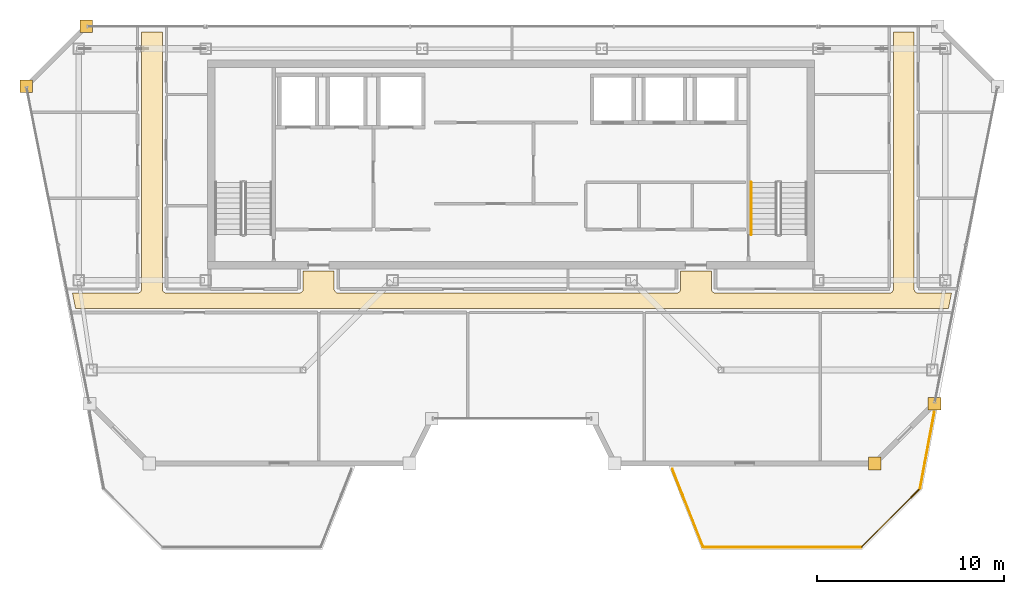
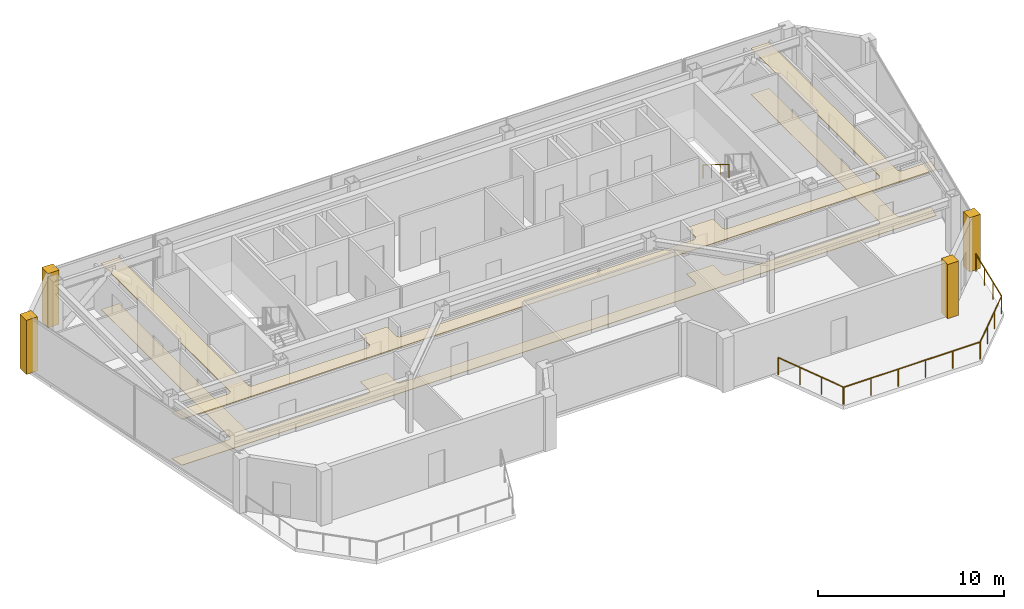
# One storey, part 19 of 20: 6 coverings, 5 railings.
"""IFC4 building model written with IfcOpenShell, lengths in metres."""

from ifc_helpers import new_model, si_unit, direction, frame, origin, origin_2d, place, context, subcontext, project, spatial, polyline, circle, outline, extrude, material, layer, layer_set, type_object, element, save


model = new_model("IFC4")

# Units and contexts
model_context = context("Model", 3, precision=1e-05, world=origin(), true_north=direction((0.0, 1.0)))
body_context = subcontext(model_context, "Body", "Model", "MODEL_VIEW")
ifc_project = project(units=[si_unit("LENGTHUNIT", "METRE"), si_unit("AREAUNIT", "SQUARE_METRE"), si_unit("VOLUMEUNIT", "CUBIC_METRE"), si_unit("PLANEANGLEUNIT", "RADIAN"), si_unit("MASSUNIT", "GRAM", prefix="KILO")], contexts=[model_context])

# Site, building, storey
site_placement = place(None, origin())
site = spatial("IfcSite", under=ifc_project, at=site_placement, CompositionType="ELEMENT")
building_placement = place(site_placement, origin())
building = spatial("IfcBuilding", under=site, at=building_placement, Name="Saevonmaru Cultural Tower", CompositionType="ELEMENT")
storey_placement = place(building_placement, frame((0.0, 0.0, 295.199951171875)))
storey = spatial("IfcBuildingStorey", under=building, at=storey_placement, Name="L70", CompositionType="ELEMENT", Elevation=295.199951171875)

# Coverings
ifc_material_1 = material(Name="Mineral Fibre Acoustic Ceiling", Category="gypsum")
ifc_layer_1 = layer(ifc_material_1, 0.044921875, Name="Mineral Fibre Acoustic Ceiling")
ifc_layer_set_1 = layer_set([ifc_layer_1], Name="Mineral Fibre Acoustic Ceiling")
covering_type_1 = type_object("IfcCoveringType", Name="CV-CEIL-ACOUSTIC", PredefinedType="CEILING", material=ifc_layer_set_1)
covering_1_placement = place(storey_placement, frame((0.0, 0.0, 3.0)))
element("IfcCovering", 1, at=covering_1_placement, inside=storey, type_object=covering_type_1, Name="L70 Corridor Acoustic Ceiling", PredefinedType="CEILING", context=body_context, shape_type="SweptSolid", body=[
    extrude(outline(polyline([(6.631103515625, 40.89990234375), (6.468017578125, 41.719970703125), (9.949951171875, 41.719970703125), (9.971923828125, 41.720947265625), (9.992919921875, 41.72412109375), (10.013916015625, 41.72900390625), (10.033935546875, 41.737060546875), (10.053955078125, 41.74609375), (10.072021484375, 41.757080078125), (10.090087890625, 41.77001953125), (10.10595703125, 41.783935546875), (10.1201171875, 41.800048828125), (10.133056640625, 41.818115234375), (10.14404296875, 41.8359375), (10.153076171875, 41.85595703125), (10.160888671875, 41.8759765625), (10.166015625, 41.89697265625), (10.1689453125, 41.91796875), (10.169921875, 41.93994140625), (10.169921875, 55.699951171875), (11.280029296875, 55.699951171875), (11.280029296875, 41.93994140625), (11.281005859375, 41.91796875), (11.283935546875, 41.89697265625), (11.2890625, 41.8759765625), (11.297119140625, 41.85595703125), (11.305908203125, 41.8359375), (11.31689453125, 41.818115234375), (11.330078125, 41.800048828125), (11.343994140625, 41.783935546875), (11.360107421875, 41.77001953125), (11.3779296875, 41.757080078125), (11.39599609375, 41.74609375), (11.416015625, 41.737060546875), (11.43603515625, 41.72900390625), (11.45703125, 41.72412109375), (11.47802734375, 41.720947265625), (11.5, 41.719970703125), (18.60009765625, 41.719970703125), (18.6220703125, 41.720947265625), (18.64306640625, 41.72412109375), (18.6640625, 41.72900390625), (18.68408203125, 41.737060546875), (18.7041015625, 41.74609375), (18.721923828125, 41.757080078125), (18.739990234375, 41.77001953125), (18.756103515625, 41.783935546875), (18.77001953125, 41.800048828125), (18.782958984375, 41.818115234375), (18.7939453125, 41.8359375), (18.802978515625, 41.85595703125), (18.81103515625, 41.8759765625), (18.81591796875, 41.89697265625), (18.819091796875, 41.91796875), (18.820068359375, 41.93994140625), (18.820068359375, 42.889892578125), (20.47998046875, 42.889892578125), (20.47998046875, 41.93994140625), (20.48095703125, 41.91796875), (20.48388671875, 41.89697265625), (20.489013671875, 41.8759765625), (20.4970703125, 41.85595703125), (20.506103515625, 41.8359375), (20.51708984375, 41.818115234375), (20.530029296875, 41.800048828125), (20.5439453125, 41.783935546875), (20.56005859375, 41.77001953125), (20.577880859375, 41.757080078125), (20.595947265625, 41.74609375), (20.615966796875, 41.737060546875), (20.635986328125, 41.72900390625), (20.656982421875, 41.72412109375), (20.677978515625, 41.720947265625), (20.699951171875, 41.719970703125), (38.800048828125, 41.719970703125), (38.822021484375, 41.720947265625), (38.843017578125, 41.72412109375), (38.864013671875, 41.72900390625), (38.884033203125, 41.737060546875), (38.904052734375, 41.74609375), (38.922119140625, 41.757080078125), (38.93994140625, 41.77001953125), (38.9560546875, 41.783935546875), (38.969970703125, 41.800048828125), (38.98291015625, 41.818115234375), (38.993896484375, 41.8359375), (39.0029296875, 41.85595703125), (39.010986328125, 41.8759765625), (39.01611328125, 41.89697265625), (39.01904296875, 41.91796875), (39.02001953125, 41.93994140625), (39.02001953125, 42.889892578125), (40.679931640625, 42.889892578125), (40.679931640625, 41.93994140625), (40.680908203125, 41.91796875), (40.68408203125, 41.89697265625), (40.68896484375, 41.8759765625), (40.697021484375, 41.85595703125), (40.7060546875, 41.8359375), (40.717041015625, 41.818115234375), (40.72998046875, 41.800048828125), (40.743896484375, 41.783935546875), (40.760009765625, 41.77001953125), (40.778076171875, 41.757080078125), (40.7958984375, 41.74609375), (40.81591796875, 41.737060546875), (40.8359375, 41.72900390625), (40.85693359375, 41.72412109375), (40.8779296875, 41.720947265625), (40.89990234375, 41.719970703125), (50.199951171875, 41.719970703125), (50.221923828125, 41.720947265625), (50.242919921875, 41.72412109375), (50.263916015625, 41.72900390625), (50.283935546875, 41.737060546875), (50.303955078125, 41.74609375), (50.322021484375, 41.757080078125), (50.340087890625, 41.77001953125), (50.35595703125, 41.783935546875), (50.3701171875, 41.800048828125), (50.383056640625, 41.818115234375), (50.39404296875, 41.8359375), (50.403076171875, 41.85595703125), (50.410888671875, 41.8759765625), (50.416015625, 41.89697265625), (50.4189453125, 41.91796875), (50.419921875, 41.93994140625), (50.419921875, 55.699951171875), (51.530029296875, 55.699951171875), (51.530029296875, 41.93994140625), (51.531005859375, 41.91796875), (51.533935546875, 41.89697265625), (51.5390625, 41.8759765625), (51.547119140625, 41.85595703125), (51.555908203125, 41.8359375), (51.56689453125, 41.818115234375), (51.580078125, 41.800048828125), (51.593994140625, 41.783935546875), (51.610107421875, 41.77001953125), (51.6279296875, 41.757080078125), (51.64599609375, 41.74609375), (51.666015625, 41.737060546875), (51.68603515625, 41.72900390625), (51.70703125, 41.72412109375), (51.72802734375, 41.720947265625), (51.75, 41.719970703125), (53.531982421875, 41.719970703125), (53.368896484375, 40.89990234375), (6.631103515625, 40.89990234375)])), origin(), (0.0, 0.0, 1.0), 0.045166015625),
])
ifc_material_2 = material(Name="Satin Bronze Anodised Aluminium", Category="aluminium")
ifc_layer_2 = layer(ifc_material_2, 0.679931640625, Name="Satin Bronze Anodised Aluminium")
ifc_layer_set_2 = layer_set([ifc_layer_2], Name="Satin Bronze Anodised Aluminium")
covering_type_2 = type_object("IfcCoveringType", Name="CV-CORNER-CLAD", PredefinedType="CLADDING", material=ifc_layer_set_2)
covering_2_placement = place(storey_placement, origin())
element("IfcCovering", 2, at=covering_2_placement, inside=storey, type_object=covering_type_2, Name="L70 Tower Bronze Corner Cladding Pier 7", PredefinedType="CLADDING", context=body_context, shape_type="SweptSolid", body=[
    extrude(outline(polyline([(49.080078125, 32.260009765625), (49.760009765625, 32.260009765625), (49.760009765625, 32.93994140625), (49.080078125, 32.93994140625), (49.080078125, 32.260009765625)])), origin(), (0.0, 0.0, 1.0), 3.550048828125),
])
covering_3_placement = place(storey_placement, origin())
element("IfcCovering", 3, at=covering_3_placement, inside=storey, type_object=covering_type_2, Name="L70 Tower Bronze Corner Cladding Pier 8", PredefinedType="CLADDING", context=body_context, shape_type="SweptSolid", body=[
    extrude(outline(polyline([(52.280029296875, 35.4599609375), (52.9599609375, 35.4599609375), (52.9599609375, 36.139892578125), (52.280029296875, 36.139892578125), (52.280029296875, 35.4599609375)])), origin(), (0.0, 0.0, 1.0), 3.550048828125),
])
covering_4_placement = place(storey_placement, origin())
element("IfcCovering", 4, at=covering_4_placement, inside=storey, type_object=covering_type_2, Name="L70 Tower Bronze Corner Cladding Pier 11", PredefinedType="CLADDING", context=body_context, shape_type="SweptSolid", body=[
    extrude(outline(polyline([(6.860107421875, 55.659912109375), (7.5400390625, 55.659912109375), (7.5400390625, 56.340087890625), (6.860107421875, 56.340087890625), (6.860107421875, 55.659912109375)])), origin(), (0.0, 0.0, 1.0), 3.550048828125),
])
covering_5_placement = place(storey_placement, origin())
element("IfcCovering", 5, at=covering_5_placement, inside=storey, type_object=covering_type_2, Name="L70 Tower Bronze Corner Cladding Pier 12", PredefinedType="CLADDING", context=body_context, shape_type="SweptSolid", body=[
    extrude(outline(polyline([(3.659912109375, 52.4599609375), (4.340087890625, 52.4599609375), (4.340087890625, 53.139892578125), (3.659912109375, 53.139892578125), (3.659912109375, 52.4599609375)])), origin(), (0.0, 0.0, 1.0), 3.550048828125),
])
ifc_material_3 = material(Name="Honed Granite Terrazzo", Category="masonry")
ifc_layer_3 = layer(ifc_material_3, 0.030029296875, Name="Honed Granite Terrazzo")
ifc_layer_set_3 = layer_set([ifc_layer_3], Name="Honed Granite Terrazzo")
covering_type_3 = type_object("IfcCoveringType", Name="CV-FLR-TERRAZZO", PredefinedType="FLOORING", material=ifc_layer_set_3)
covering_6_placement = place(storey_placement, origin())
element("IfcCovering", 6, at=covering_6_placement, inside=storey, type_object=covering_type_3, Name="L70 Corridor Terrazzo Flooring", PredefinedType="FLOORING", context=body_context, shape_type="SweptSolid", body=[
    extrude(outline(polyline([(6.631103515625, 40.89990234375), (6.468017578125, 41.719970703125), (9.949951171875, 41.719970703125), (9.971923828125, 41.720947265625), (9.992919921875, 41.72412109375), (10.013916015625, 41.72900390625), (10.033935546875, 41.737060546875), (10.053955078125, 41.74609375), (10.072021484375, 41.757080078125), (10.090087890625, 41.77001953125), (10.10595703125, 41.783935546875), (10.1201171875, 41.800048828125), (10.133056640625, 41.818115234375), (10.14404296875, 41.8359375), (10.153076171875, 41.85595703125), (10.160888671875, 41.8759765625), (10.166015625, 41.89697265625), (10.1689453125, 41.91796875), (10.169921875, 41.93994140625), (10.169921875, 55.699951171875), (11.280029296875, 55.699951171875), (11.280029296875, 41.93994140625), (11.281005859375, 41.91796875), (11.283935546875, 41.89697265625), (11.2890625, 41.8759765625), (11.297119140625, 41.85595703125), (11.305908203125, 41.8359375), (11.31689453125, 41.818115234375), (11.330078125, 41.800048828125), (11.343994140625, 41.783935546875), (11.360107421875, 41.77001953125), (11.3779296875, 41.757080078125), (11.39599609375, 41.74609375), (11.416015625, 41.737060546875), (11.43603515625, 41.72900390625), (11.45703125, 41.72412109375), (11.47802734375, 41.720947265625), (11.5, 41.719970703125), (18.60009765625, 41.719970703125), (18.6220703125, 41.720947265625), (18.64306640625, 41.72412109375), (18.6640625, 41.72900390625), (18.68408203125, 41.737060546875), (18.7041015625, 41.74609375), (18.721923828125, 41.757080078125), (18.739990234375, 41.77001953125), (18.756103515625, 41.783935546875), (18.77001953125, 41.800048828125), (18.782958984375, 41.818115234375), (18.7939453125, 41.8359375), (18.802978515625, 41.85595703125), (18.81103515625, 41.8759765625), (18.81591796875, 41.89697265625), (18.819091796875, 41.91796875), (18.820068359375, 41.93994140625), (18.820068359375, 42.889892578125), (20.47998046875, 42.889892578125), (20.47998046875, 41.93994140625), (20.48095703125, 41.91796875), (20.48388671875, 41.89697265625), (20.489013671875, 41.8759765625), (20.4970703125, 41.85595703125), (20.506103515625, 41.8359375), (20.51708984375, 41.818115234375), (20.530029296875, 41.800048828125), (20.5439453125, 41.783935546875), (20.56005859375, 41.77001953125), (20.577880859375, 41.757080078125), (20.595947265625, 41.74609375), (20.615966796875, 41.737060546875), (20.635986328125, 41.72900390625), (20.656982421875, 41.72412109375), (20.677978515625, 41.720947265625), (20.699951171875, 41.719970703125), (38.800048828125, 41.719970703125), (38.822021484375, 41.720947265625), (38.843017578125, 41.72412109375), (38.864013671875, 41.72900390625), (38.884033203125, 41.737060546875), (38.904052734375, 41.74609375), (38.922119140625, 41.757080078125), (38.93994140625, 41.77001953125), (38.9560546875, 41.783935546875), (38.969970703125, 41.800048828125), (38.98291015625, 41.818115234375), (38.993896484375, 41.8359375), (39.0029296875, 41.85595703125), (39.010986328125, 41.8759765625), (39.01611328125, 41.89697265625), (39.01904296875, 41.91796875), (39.02001953125, 41.93994140625), (39.02001953125, 42.889892578125), (40.679931640625, 42.889892578125), (40.679931640625, 41.93994140625), (40.680908203125, 41.91796875), (40.68408203125, 41.89697265625), (40.68896484375, 41.8759765625), (40.697021484375, 41.85595703125), (40.7060546875, 41.8359375), (40.717041015625, 41.818115234375), (40.72998046875, 41.800048828125), (40.743896484375, 41.783935546875), (40.760009765625, 41.77001953125), (40.778076171875, 41.757080078125), (40.7958984375, 41.74609375), (40.81591796875, 41.737060546875), (40.8359375, 41.72900390625), (40.85693359375, 41.72412109375), (40.8779296875, 41.720947265625), (40.89990234375, 41.719970703125), (50.199951171875, 41.719970703125), (50.221923828125, 41.720947265625), (50.242919921875, 41.72412109375), (50.263916015625, 41.72900390625), (50.283935546875, 41.737060546875), (50.303955078125, 41.74609375), (50.322021484375, 41.757080078125), (50.340087890625, 41.77001953125), (50.35595703125, 41.783935546875), (50.3701171875, 41.800048828125), (50.383056640625, 41.818115234375), (50.39404296875, 41.8359375), (50.403076171875, 41.85595703125), (50.410888671875, 41.8759765625), (50.416015625, 41.89697265625), (50.4189453125, 41.91796875), (50.419921875, 41.93994140625), (50.419921875, 55.699951171875), (51.530029296875, 55.699951171875), (51.530029296875, 41.93994140625), (51.531005859375, 41.91796875), (51.533935546875, 41.89697265625), (51.5390625, 41.8759765625), (51.547119140625, 41.85595703125), (51.555908203125, 41.8359375), (51.56689453125, 41.818115234375), (51.580078125, 41.800048828125), (51.593994140625, 41.783935546875), (51.610107421875, 41.77001953125), (51.6279296875, 41.757080078125), (51.64599609375, 41.74609375), (51.666015625, 41.737060546875), (51.68603515625, 41.72900390625), (51.70703125, 41.72412109375), (51.72802734375, 41.720947265625), (51.75, 41.719970703125), (53.531982421875, 41.719970703125), (53.368896484375, 40.89990234375), (6.631103515625, 40.89990234375)])), origin(), (0.0, 0.0, 1.0), 0.030029296875),
])

# Railings
railing_type_1 = type_object("IfcRailingType", Name="RL-BALUSTRADE-1150", PredefinedType="BALUSTRADE", material=ifc_material_2)
railing_1_placement = place(storey_placement, frame((48.68603515625, 28.1201171875, 0.0)))
element("IfcRailing", 7, at=railing_1_placement, inside=storey, type_object=railing_type_1, Name="L70 Setback Terrace Balustrade 2-1", PredefinedType="BALUSTRADE", context=body_context, shape_type="SweptSolid", body=[
    extrude(circle(Radius=0.02392578125, at=origin_2d()), frame((0.0, 0.0, 1.1259765625), z_axis=(-1.0, 0.0, 0.0), x_axis=(0.0, -1.0, 0.0)), (0.0, 0.0, 1.0), 8.428955078125),
    extrude(circle(Radius=0.02099609375, at=origin_2d()), origin(), (0.0, 0.0, 1.0), 1.101806640625),
    extrude(circle(Radius=0.02099609375, at=origin_2d()), frame((-1.685791015625, 0.0, 0.0)), (0.0, 0.0, 1.0), 1.101806640625),
    extrude(circle(Radius=0.02099609375, at=origin_2d()), frame((-3.37158203125, 0.0, 0.0)), (0.0, 0.0, 1.0), 1.101806640625),
    extrude(circle(Radius=0.02099609375, at=origin_2d()), frame((-5.057373046875, 0.0, 0.0)), (0.0, 0.0, 1.0), 1.101806640625),
    extrude(circle(Radius=0.02099609375, at=origin_2d()), frame((-6.7431640625, 0.0, 0.0)), (0.0, 0.0, 1.0), 1.101806640625),
    extrude(circle(Radius=0.02099609375, at=origin_2d()), frame((-8.428955078125, 0.0, 0.0)), (0.0, 0.0, 1.0), 1.101806640625),
])
railing_2_placement = place(storey_placement, frame((40.229736328125, 28.138671875, 0.0)))
element("IfcRailing", 8, at=railing_2_placement, inside=storey, type_object=railing_type_1, Name="L70 Setback Terrace Balustrade 2-2", PredefinedType="BALUSTRADE", context=body_context, shape_type="SweptSolid", body=[
    extrude(circle(Radius=0.02392578125, at=origin_2d()), frame((0.0, 0.0, 1.1259765625), z_axis=(-0.367200230933, 0.930141919496, 0.0), x_axis=(-0.930141919496, -0.367200230933, 0.0)), (0.0, 0.0, 1.0), 4.453857421875),
    extrude(circle(Radius=0.02099609375, at=origin_2d()), origin(), (0.0, 0.0, 1.0), 1.101806640625),
    extrude(circle(Radius=0.02099609375, at=origin_2d()), frame((-0.545166015625, 1.380859375, 0.0)), (0.0, 0.0, 1.0), 1.101806640625),
    extrude(circle(Radius=0.02099609375, at=origin_2d()), frame((-1.09033203125, 2.761962890625, 0.0)), (0.0, 0.0, 1.0), 1.101806640625),
    extrude(circle(Radius=0.02099609375, at=origin_2d()), frame((-1.635498046875, 4.142822265625, 0.0)), (0.0, 0.0, 1.0), 1.101806640625),
])
railing_3_placement = place(storey_placement, frame((52.6103515625, 35.350341796875, 0.0)))
element("IfcRailing", 9, at=railing_3_placement, inside=storey, type_object=railing_type_1, Name="L70 Setback Terrace Balustrade 2-3", PredefinedType="BALUSTRADE", context=body_context, shape_type="SweptSolid", body=[
    extrude(circle(Radius=0.02392578125, at=origin_2d()), frame((0.0, 0.0, 1.1259765625), z_axis=(-0.184121282841, -0.982903531993, 0.0), x_axis=(0.982903531993, -0.184121282841, 0.0)), (0.0, 0.0, 1.0), 4.142333984375),
    extrude(circle(Radius=0.02099609375, at=origin_2d()), origin(), (0.0, 0.0, 1.0), 1.101806640625),
    extrude(circle(Radius=0.02099609375, at=origin_2d()), frame((-0.254150390625, -1.357177734375, 0.0)), (0.0, 0.0, 1.0), 1.101806640625),
    extrude(circle(Radius=0.02099609375, at=origin_2d()), frame((-0.508544921875, -2.71435546875, 0.0)), (0.0, 0.0, 1.0), 1.101806640625),
    extrude(circle(Radius=0.02099609375, at=origin_2d()), frame((-0.7626953125, -4.071533203125, 0.0)), (0.0, 0.0, 1.0), 1.101806640625),
])
railing_4_placement = place(storey_placement, frame((51.829833984375, 31.244873046875, 0.0)))
element("IfcRailing", 10, at=railing_4_placement, inside=storey, type_object=railing_type_1, Name="L70 Setback Terrace Balustrade 2-4", PredefinedType="BALUSTRADE", context=body_context, shape_type="SweptSolid", body=[
    extrude(circle(Radius=0.02392578125, at=origin_2d()), frame((0.0, 0.0, 1.1259765625), z_axis=(-0.70696800491, -0.707245530232, 0.0), x_axis=(0.707245530232, -0.70696800491, 0.0)), (0.0, 0.0, 1.0), 4.3984375),
    extrude(circle(Radius=0.02099609375, at=origin_2d()), origin(), (0.0, 0.0, 1.0), 1.101806640625),
    extrude(circle(Radius=0.02099609375, at=origin_2d()), frame((-1.03662109375, -1.036865234375, 0.0)), (0.0, 0.0, 1.0), 1.101806640625),
    extrude(circle(Radius=0.02099609375, at=origin_2d()), frame((-2.072998046875, -2.073974609375, 0.0)), (0.0, 0.0, 1.0), 1.101806640625),
    extrude(circle(Radius=0.02099609375, at=origin_2d()), frame((-3.109619140625, -3.11083984375, 0.0)), (0.0, 0.0, 1.0), 1.101806640625),
])
railing_type_2 = type_object("IfcRailingType", Name="RL-STAIR-HANDRAIL", PredefinedType="HANDRAIL", material=ifc_material_2)
railing_5_placement = place(storey_placement, frame((42.800048828125, 47.64990234375, 2.07275390625)))
element("IfcRailing", 11, at=railing_5_placement, inside=storey, type_object=railing_type_2, Name="L70 ST-2 stair handrail 2", PredefinedType="HANDRAIL", context=body_context, shape_type="SweptSolid", body=[
    extrude(circle(Radius=0.02392578125, at=origin_2d()), frame((0.0, 0.0, 0.8759765625), z_axis=(0.0, -0.851069175582, 0.525053576669), x_axis=(1.0, 0.0, 0.0)), (0.0, 0.0, 1.0), 3.289794921875),
    extrude(circle(Radius=0.02099609375, at=origin_2d()), origin(), (0.0, 0.0, 1.0), 0.851806640625),
    extrude(circle(Radius=0.02099609375, at=origin_2d()), frame((0.0, -0.933349609375, 0.57568359375)), (0.0, 0.0, 1.0), 0.851806640625),
    extrude(circle(Radius=0.02099609375, at=origin_2d()), frame((0.0, -1.866455078125, 1.151611328125)), (0.0, 0.0, 1.0), 0.851806640625),
    extrude(circle(Radius=0.02099609375, at=origin_2d()), frame((0.0, -2.7998046875, 1.727294921875)), (0.0, 0.0, 1.0), 0.851806640625),
])

save(model, "model.ifc")
